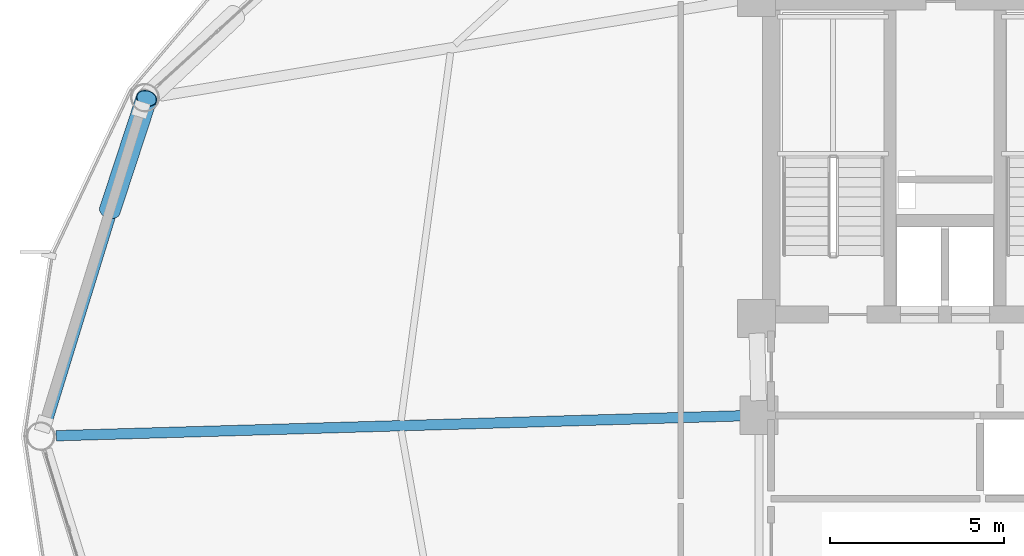
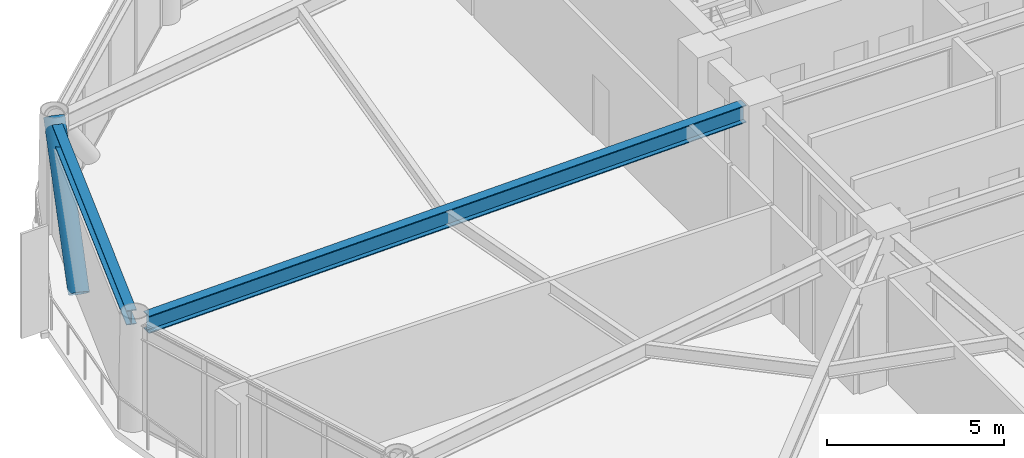
# One storey, part 8 of 23: 2 beams, 1 member.
"""IFC4 building model written with IfcOpenShell, lengths in metres."""

from ifc_helpers import new_model, si_unit, direction, frame, origin, origin_2d, place, context, subcontext, project, spatial, hollow_circle, i_section, extrude, material, material_profile, profile_set, type_object, element, save


model = new_model("IFC4")

# Units and contexts
model_context = context("Model", 3, precision=1e-05, world=origin(), true_north=direction((0.0, 1.0)))
body_context = subcontext(model_context, "Body", "Model", "MODEL_VIEW")
ifc_project = project(units=[si_unit("LENGTHUNIT", "METRE"), si_unit("AREAUNIT", "SQUARE_METRE"), si_unit("VOLUMEUNIT", "CUBIC_METRE"), si_unit("PLANEANGLEUNIT", "RADIAN"), si_unit("MASSUNIT", "GRAM", prefix="KILO")], contexts=[model_context])

# Site, building, storey
site_placement = place(None, origin())
site = spatial("IfcSite", under=ifc_project, at=site_placement, CompositionType="ELEMENT")
building_placement = place(site_placement, origin())
building = spatial("IfcBuilding", under=site, at=building_placement, Name="Varnakorn Sky Granary", CompositionType="ELEMENT")
storey_placement = place(building_placement, frame((0.0, 0.0, 107.10009765625)))
storey = spatial("IfcBuildingStorey", under=building, at=storey_placement, Name="L26", CompositionType="ELEMENT", Elevation=107.10009765625)

# Beams
ifc_material_1 = material(Name="Steel S355JR", Category="steel")
ifc_material_profile_1 = material_profile(ifc_material_1, i_section(OverallWidth=0.300048828125, OverallDepth=0.60009765625, WebThickness=0.015380859375, FlangeThickness=0.030029296875, at=origin_2d()), Name="HE 600 B")
ifc_profile_set_1 = profile_set([ifc_material_profile_1], Name="Steel S355JR")
beam_type_1 = type_object("IfcBeamType", Name="BM-RAD-Z2", PredefinedType="BEAM", material=ifc_profile_set_1)
beam_1_placement = place(storey_placement, frame((-2.769775390625, 0.587890625, 3.33984375), z_axis=(-0.999576038809, -0.029116020327, 0.0), x_axis=(0.029116020327, -0.999576038809, 0.0)))
element("IfcBeam", 1, at=beam_1_placement, inside=storey, type_object=beam_type_1, Name="Radial Floor Girder RG07 L26", PredefinedType="BEAM", context=body_context, shape_type="SweptSolid", body=[
    extrude(i_section(OverallWidth=0.300048828125, OverallDepth=0.60009765625, WebThickness=0.015380859375, FlangeThickness=0.030029296875, at=origin_2d()), origin(), (0.0, 0.0, 1.0), 19.797119140625),
])
ifc_material_profile_2 = material_profile(ifc_material_1, i_section(OverallWidth=0.300048828125, OverallDepth=0.5, WebThickness=0.014404296875, FlangeThickness=0.028076171875, at=origin_2d()), Name="HE 500 B")
ifc_profile_set_2 = profile_set([ifc_material_profile_2], Name="Steel S355JR")
beam_type_2 = type_object("IfcBeamType", Name="BM-SPD-Z2", PredefinedType="SPANDREL", material=ifc_profile_set_2)
beam_2_placement = place(storey_placement, frame((-20.074462890625, 9.34033203125, 3.389892578125), z_axis=(-0.29422848577, -0.955735108784, 0.0), x_axis=(0.955735108784, -0.29422848577, 0.0)))
element("IfcBeam", 2, at=beam_2_placement, inside=storey, type_object=beam_type_2, Name="Perimeter Spandrel Ring Beam RB06 L26", PredefinedType="SPANDREL", context=body_context, shape_type="SweptSolid", body=[
    extrude(i_section(OverallWidth=0.300048828125, OverallDepth=0.5, WebThickness=0.014404296875, FlangeThickness=0.028076171875, at=origin_2d()), origin(), (0.0, 0.0, 1.0), 9.38134765625),
])

# Member
ifc_material_2 = material(Name="Steel S460M", Category="steel")
ifc_material_profile_3 = material_profile(ifc_material_2, hollow_circle(Radius=0.304931640625, WallThickness=0.022216796875, at=origin_2d()), Name="CHS 610x22")
ifc_profile_set_3 = profile_set([ifc_material_profile_3], Name="Steel S460M")
member_type = type_object("IfcMemberType", Name="MB-DIAG-T1", PredefinedType="BRACE", material=ifc_profile_set_3)
member_placement = place(storey_placement, frame((-21.017333984375, 6.4921875, -0.130126953125), z_axis=(0.208651927736, 0.635439961741, 0.743424796516), x_axis=(-0.950091807136, 0.311970444134, 0.0)))
element("IfcMember", 3, at=member_placement, inside=storey, type_object=member_type, Name="Perimeter CHS Diagrid Brace DG06 L26", PredefinedType="BRACE", context=body_context, shape_type="SweptSolid", body=[
    extrude(hollow_circle(Radius=0.304931640625, WallThickness=0.022216796875, at=origin_2d()), origin(), (0.0, 0.0, 1.0), 5.071044921875),
])

save(model, "model.ifc")
